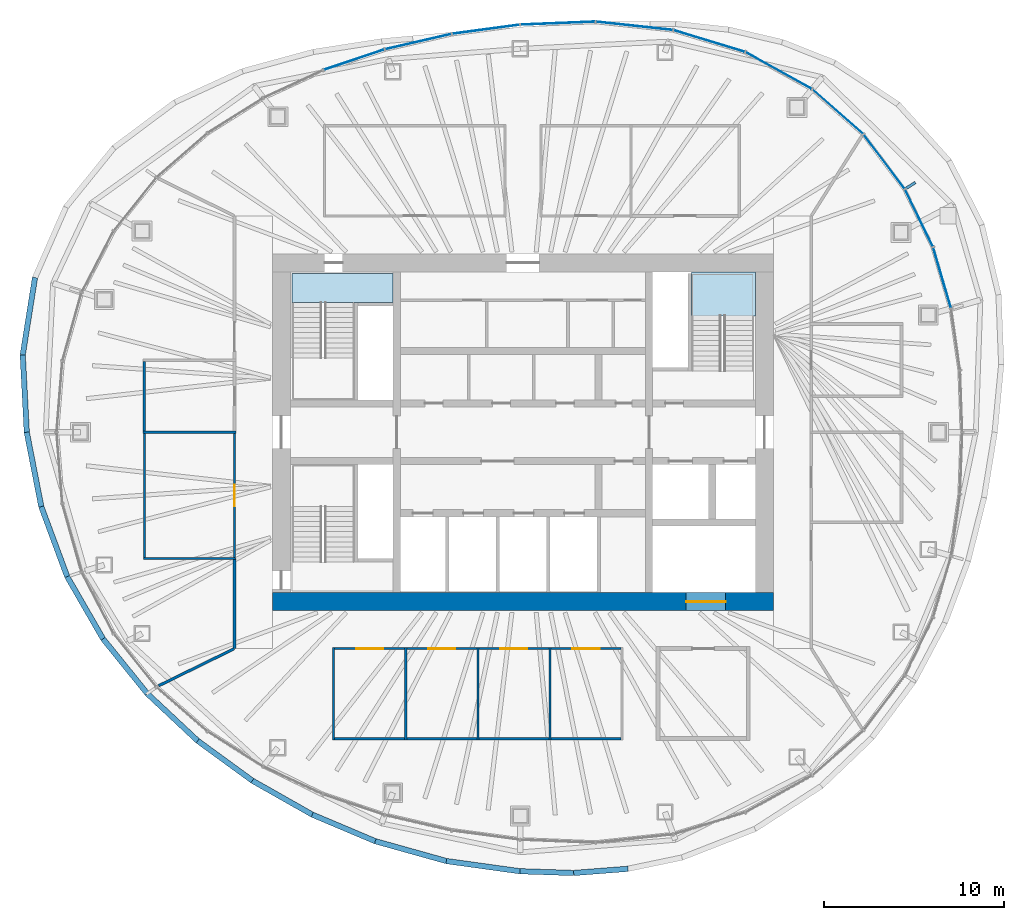
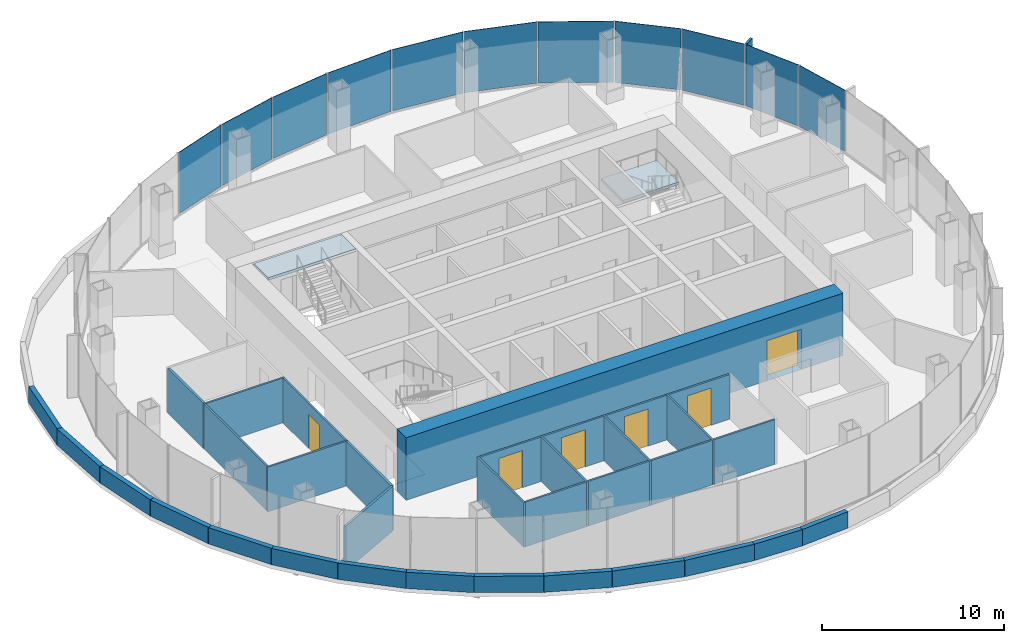
# One storey, part 9 of 13: 34 walls, 12 plates, 6 doors, 2 slabs, 6 openings, 8 elements without a shape of their own.
"""IFC4 building model written with IfcOpenShell, lengths in metres."""

from ifc_helpers import new_model, si_unit, direction, frame, frame_2d, origin, origin_2d, place, context, subcontext, project, spatial, polyline, rectangle, outline, extrude, material, layer, layer_set, type_object, element, fill, aggregate, save


model = new_model("IFC4")

# Units and contexts
model_context = context("Model", 3, precision=1e-05, world=origin(), true_north=direction((0.0, 1.0)))
body_context = subcontext(model_context, "Body", "Model", "MODEL_VIEW")
ifc_project = project(units=[si_unit("LENGTHUNIT", "METRE"), si_unit("AREAUNIT", "SQUARE_METRE"), si_unit("VOLUMEUNIT", "CUBIC_METRE"), si_unit("PLANEANGLEUNIT", "RADIAN"), si_unit("MASSUNIT", "GRAM", prefix="KILO")], contexts=[model_context])

# Site, building, storey
site_placement = place(None, origin())
site = spatial("IfcSite", under=ifc_project, at=site_placement, CompositionType="ELEMENT")
building_placement = place(site_placement, origin())
building = spatial("IfcBuilding", under=site, at=building_placement, Name="Ghaith Harvest Tower", CompositionType="ELEMENT")
storey_placement = place(building_placement, frame((0.0, 0.0, 271.199951171875)))
storey = spatial("IfcBuildingStorey", under=building, at=storey_placement, Name="L60", CompositionType="ELEMENT", Elevation=271.199951171875)

# Curtain wall, plates
ifc_material_1 = material(Name="Black anodised aluminium and fritted glass", Category="aluminium")
curtain_wall_type = type_object("IfcCurtainWallType", Name="CW-T CURTAIN WALL", PredefinedType="NOTDEFINED", material=ifc_material_1)
curtain_wall_1_placement = place(storey_placement, origin())
curtain_wall_1 = element("IfcCurtainWall", 1, at=curtain_wall_1_placement, inside=storey, type_object=curtain_wall_type, Name="Curtain wall CW-T bay 02 L60", PredefinedType="NOTDEFINED")
ifc_material_2 = material(Name="Glass, dark solar-control fritted double glazed unit", Category="glass")
ifc_layer_1 = layer(ifc_material_2, 0.033935546875)
ifc_layer_set_1 = layer_set([ifc_layer_1], Name="CW-T VISION PANEL")
plate_type_1 = type_object("IfcPlateType", Name="CW-T VISION PANEL", PredefinedType="CURTAIN_PANEL", material=ifc_layer_set_1)
plate_1_placement = place(storey_placement, frame((23.253662109375, 8.56884765625, 0.080078125), z_axis=(0.0, 0.0, 1.0), x_axis=(-0.281344622776, 0.959606796159, 0.0)))
plate_1 = element("IfcPlate", 2, at=plate_1_placement, type_object=plate_type_1, Name="CW-T glass unit 1 bay 02 L60", PredefinedType="CURTAIN_PANEL", context=body_context, shape_type="SweptSolid", body=[
    extrude(rectangle(XDim=3.470703125, YDim=0.033935546875, at=origin_2d()), origin(), (0.0, 0.0, 1.0), 4.1201171875),
])
plate_2_placement = place(storey_placement, frame((21.9716796875, 11.878662109375, 0.080078125), z_axis=(0.0, 0.0, 1.0), x_axis=(-0.437968365148, 0.898990384337, 0.0)))
plate_2 = element("IfcPlate", 3, at=plate_2_placement, type_object=plate_type_1, Name="CW-T glass unit 2 bay 02 L60", PredefinedType="CURTAIN_PANEL", context=body_context, shape_type="SweptSolid", body=[
    extrude(rectangle(XDim=3.49365234375, YDim=0.033935546875, at=origin_2d()), origin(), (0.0, 0.0, 1.0), 4.1201171875),
])
aggregate(curtain_wall_1, [plate_1, plate_2])

curtain_wall_2_placement = place(storey_placement, origin())
curtain_wall_2 = element("IfcCurtainWall", 4, at=curtain_wall_2_placement, inside=storey, type_object=curtain_wall_type, Name="Curtain wall CW-T bay 03 L60", PredefinedType="NOTDEFINED")
plate_3_placement = place(storey_placement, frame((20.045166015625, 15.006103515625, 0.080078125), z_axis=(0.0, 0.0, 1.0), x_axis=(-0.601047892764, 0.799213007029, 0.0)))
plate_3 = element("IfcPlate", 5, at=plate_3_placement, type_object=plate_type_1, Name="CW-T glass unit 1 bay 03 L60", PredefinedType="CURTAIN_PANEL", context=body_context, shape_type="SweptSolid", body=[
    extrude(rectangle(XDim=3.7265625, YDim=0.033935546875, at=origin_2d()), origin(), (0.0, 0.0, 1.0), 4.1201171875),
])
plate_4_placement = place(storey_placement, frame((17.47509765625, 17.779541015625, 0.080078125), z_axis=(0.0, 0.0, 1.0), x_axis=(-0.751334532416, 0.659921525941, 0.0)))
plate_4 = element("IfcPlate", 6, at=plate_4_placement, type_object=plate_type_1, Name="CW-T glass unit 2 bay 03 L60", PredefinedType="CURTAIN_PANEL", context=body_context, shape_type="SweptSolid", body=[
    extrude(rectangle(XDim=3.7158203125, YDim=0.033935546875, at=origin_2d()), origin(), (0.0, 0.0, 1.0), 4.1201171875),
])
aggregate(curtain_wall_2, [plate_3, plate_4])

curtain_wall_3_placement = place(storey_placement, origin())
curtain_wall_3 = element("IfcCurtainWall", 7, at=curtain_wall_3_placement, inside=storey, type_object=curtain_wall_type, Name="Curtain wall CW-T bay 04 L60", PredefinedType="NOTDEFINED")
plate_5_placement = place(storey_placement, frame((14.19189453125, 20.06201171875, 0.080078125), z_axis=(0.0, 0.0, 1.0), x_axis=(-0.87456402291, 0.484910063653, 0.0)))
plate_5 = element("IfcPlate", 8, at=plate_5_placement, type_object=plate_type_1, Name="CW-T glass unit 1 bay 04 L60", PredefinedType="CURTAIN_PANEL", context=body_context, shape_type="SweptSolid", body=[
    extrude(rectangle(XDim=4.167724609375, YDim=0.033935546875, at=origin_2d()), origin(), (0.0, 0.0, 1.0), 4.1201171875),
])
plate_6_placement = place(storey_placement, frame((10.337158203125, 21.700439453125, 0.080078125), z_axis=(0.0, 0.0, 1.0), x_axis=(-0.956587736124, 0.291444511181, 0.0)))
plate_6 = element("IfcPlate", 9, at=plate_6_placement, type_object=plate_type_1, Name="CW-T glass unit 2 bay 04 L60", PredefinedType="CURTAIN_PANEL", context=body_context, shape_type="SweptSolid", body=[
    extrude(rectangle(XDim=4.095703125, YDim=0.033935546875, at=origin_2d()), origin(), (0.0, 0.0, 1.0), 4.1201171875),
])
aggregate(curtain_wall_3, [plate_5, plate_6])

curtain_wall_4_placement = place(storey_placement, origin())
curtain_wall_4 = element("IfcCurtainWall", 10, at=curtain_wall_4_placement, inside=storey, type_object=curtain_wall_type, Name="Curtain wall CW-T bay 05 L60", PredefinedType="NOTDEFINED")
plate_7_placement = place(storey_placement, frame((6.188720703125, 22.542724609375, 0.080078125), z_axis=(0.0, 0.0, 1.0), x_axis=(-0.994142883447, 0.108073712304, 0.0)))
plate_7 = element("IfcPlate", 11, at=plate_7_placement, type_object=plate_type_1, Name="CW-T glass unit 1 bay 05 L60", PredefinedType="CURTAIN_PANEL", context=body_context, shape_type="SweptSolid", body=[
    extrude(rectangle(XDim=4.24755859375, YDim=0.033935546875, at=origin_2d()), origin(), (0.0, 0.0, 1.0), 4.1201171875),
])
plate_8_placement = place(storey_placement, frame((1.94140625, 22.691162109375, 0.080078125), z_axis=(0.0, 0.0, 1.0), x_axis=(-0.999173925852, -0.040638231968, 0.0)))
plate_8 = element("IfcPlate", 12, at=plate_8_placement, type_object=plate_type_1, Name="CW-T glass unit 2 bay 05 L60", PredefinedType="CURTAIN_PANEL", context=body_context, shape_type="SweptSolid", body=[
    extrude(rectangle(XDim=4.115966796875, YDim=0.033935546875, at=origin_2d()), origin(), (0.0, 0.0, 1.0), 4.1201171875),
])
aggregate(curtain_wall_4, [plate_7, plate_8])

curtain_wall_5_placement = place(storey_placement, origin())
curtain_wall_5 = element("IfcCurtainWall", 13, at=curtain_wall_5_placement, inside=storey, type_object=curtain_wall_type, Name="Curtain wall CW-T bay 06 L60", PredefinedType="NOTDEFINED")
plate_9_placement = place(storey_placement, frame((-2.050537109375, 22.352294921875, 0.080078125), z_axis=(0.0, 0.0, 1.0), x_axis=(-0.991165262661, -0.132632658474, 0.0)))
plate_9 = element("IfcPlate", 14, at=plate_9_placement, type_object=plate_type_1, Name="CW-T glass unit 1 bay 06 L60", PredefinedType="CURTAIN_PANEL", context=body_context, shape_type="SweptSolid", body=[
    extrude(rectangle(XDim=3.74560546875, YDim=0.033935546875, at=origin_2d()), origin(), (0.0, 0.0, 1.0), 4.1201171875),
])
plate_10_placement = place(storey_placement, frame((-5.80859375, 21.66845703125, 0.080078125), z_axis=(0.0, 0.0, 1.0), x_axis=(-0.974342245415, -0.225071519297, 0.0)))
plate_10 = element("IfcPlate", 15, at=plate_10_placement, type_object=plate_type_1, Name="CW-T glass unit 2 bay 06 L60", PredefinedType="CURTAIN_PANEL", context=body_context, shape_type="SweptSolid", body=[
    extrude(rectangle(XDim=3.742431640625, YDim=0.033935546875, at=origin_2d()), origin(), (0.0, 0.0, 1.0), 4.1201171875),
])
aggregate(curtain_wall_5, [plate_9, plate_10])

# Curtain wall, plate
curtain_wall_6_placement = place(storey_placement, origin())
curtain_wall_6 = element("IfcCurtainWall", 16, at=curtain_wall_6_placement, inside=storey, type_object=curtain_wall_type, Name="Curtain wall CW-T bay 07 L60", PredefinedType="NOTDEFINED")
plate_11_placement = place(storey_placement, frame((-9.369140625, 20.665771484375, 0.080078125), z_axis=(0.0, 0.0, 1.0), x_axis=(-0.947586403329, -0.319499621637, 0.0)))
plate_11 = element("IfcPlate", 17, at=plate_11_placement, type_object=plate_type_1, Name="CW-T glass unit 1 bay 07 L60", PredefinedType="CURTAIN_PANEL", context=body_context, shape_type="SweptSolid", body=[
    extrude(rectangle(XDim=3.50439453125, YDim=0.033935546875, at=origin_2d()), origin(), (0.0, 0.0, 1.0), 4.1201171875),
])
aggregate(curtain_wall_6, [plate_11])

# Stair, slab
ifc_material_3 = material(Name="Concrete C40/50, precast", Category="concrete")
stair_type = type_object("IfcStairType", Name="CORE STAIR 24R", PredefinedType="HALF_TURN_STAIR", material=ifc_material_3)
stair_1_placement = place(storey_placement, origin())
stair_1 = element("IfcStair", 18, at=stair_1_placement, inside=storey, type_object=stair_type, Name="Stair ST1 L60", PredefinedType="HALF_TURN_STAIR")
ifc_material_4 = material(Name="Concrete C40/50, precast", Category="concrete")
ifc_layer_2 = layer(ifc_material_4, 0.179931640625)
ifc_layer_set_2 = layer_set([ifc_layer_2], Name="STAIR LANDING 180")
slab_type = type_object("IfcSlabType", Name="STAIR LANDING 180", PredefinedType="LANDING", material=ifc_layer_set_2)
slab_1_placement = place(storey_placement, frame((0.0, 0.0, 4.02001953125)))
slab_1 = element("IfcSlab", 19, at=slab_1_placement, type_object=slab_type, Name="ST1 landing 2", PredefinedType="LANDING", context=body_context, shape_type="SweptSolid", body=[
    extrude(outline(polyline([(-12.800048828125, 8.800048828125), (-12.800048828125, 7.199951171875), (-7.199951171875, 7.199951171875), (-7.199951171875, 8.800048828125), (-12.800048828125, 8.800048828125)])), origin(), (0.0, 0.0, 1.0), 0.179931640625),
])
aggregate(stair_1, [slab_1])

stair_2_placement = place(storey_placement, origin())
stair_2 = element("IfcStair", 20, at=stair_2_placement, inside=storey, type_object=stair_type, Name="Stair ST2 L60", PredefinedType="HALF_TURN_STAIR")
slab_2_placement = place(storey_placement, frame((0.0, 0.0, 1.920166015625)))
slab_2 = element("IfcSlab", 21, at=slab_2_placement, type_object=slab_type, Name="ST2 landing 1", PredefinedType="LANDING", context=body_context, shape_type="SweptSolid", body=[
    extrude(outline(polyline([(12.89990234375, 6.4599609375), (12.89990234375, 8.89990234375), (9.35009765625, 8.89990234375), (9.35009765625, 6.4599609375), (12.89990234375, 6.4599609375)])), origin(), (0.0, 0.0, 1.0), 0.179931640625),
])
aggregate(stair_2, [slab_2])

# Plate
ifc_material_5 = material(Name="Glassfibre-reinforced concrete", Category="concrete")
ifc_layer_3 = layer(ifc_material_5, 0.14990234375)
ifc_layer_set_3 = layer_set([ifc_layer_3], Name="SUN-BREAKER FIN 600x150")
plate_type_2 = type_object("IfcPlateType", Name="SUN-BREAKER FIN 600x150", PredefinedType="USERDEFINED", material=ifc_layer_set_3)
plate_12_placement = place(storey_placement, frame((21.51806640625, 13.6943359375, 0.0), z_axis=(0.0, 0.0, 1.0), x_axis=(0.843643971464, 0.536903016766, 0.0)))
element("IfcPlate", 22, at=plate_12_placement, inside=storey, type_object=plate_type_2, Name="Sun-breaker fin CW-T 1 bay 03 L60", ObjectType="SUN-BREAKER FIN", PredefinedType="USERDEFINED", context=body_context, shape_type="SweptSolid", body=[
    extrude(rectangle(XDim=0.60009765625, YDim=0.14990234375, at=origin_2d()), origin(), (0.0, 0.0, 1.0), 4.199951171875),
])

# Wall, opening, door
ifc_material_6 = material(Name="Concrete C50/60", Category="concrete")
ifc_layer_4 = layer(ifc_material_6, 1.0)
ifc_layer_set_4 = layer_set([ifc_layer_4], Name="CORE WALL CW1000")
wall_type_1 = type_object("IfcWallType", Name="CORE WALL CW1000", PredefinedType="SHEAR", material=ifc_layer_set_4)
wall_1_placement = place(storey_placement, frame((-13.89990234375, -9.39990234375, 0.0), z_axis=(0.0, 0.0, 1.0), x_axis=(1.0, 0.0, 0.0)))
wall_1 = element("IfcWall", 23, at=wall_1_placement, inside=storey, type_object=wall_type_1, Name="Core wall S L60", PredefinedType="SHEAR", context=body_context, shape_type="SweptSolid", body=[
    extrude(rectangle(XDim=27.7998046875, YDim=1.0, at=frame_2d((13.89990234375, 0.0))), origin(), (0.0, 0.0, 1.0), 4.199951171875),
])
opening_1_placement = place(wall_1_placement, frame((22.949951171875, 0.0, 0.0)))
opening_1 = element("IfcOpeningElement", 24, at=opening_1_placement, cuts=wall_1, Name="Opening 60-025", PredefinedType="OPENING", context=body_context, shape_type="SweptSolid", body=[
    extrude(rectangle(XDim=2.199951171875, YDim=2.699951171875, at=frame_2d((1.10009765625, 1.35009765625))), frame((0.0, 0.510009765625, 0.0), z_axis=(0.0, -1.0, 0.0), x_axis=(1.0, 0.0, 0.0)), (0.0, 0.0, 1.0), 1.02001953125),
])
ifc_material_7 = material(Name="Steel fire door", Category="steel")
door_type_1 = type_object("IfcDoorType", Name="LD3 LANDING 2200x2700", OperationType="DOUBLE_DOOR_SLIDING", PredefinedType="DOOR", material=ifc_material_7)
door_1_placement = place(opening_1_placement, origin())
door_1 = element("IfcDoor", 25, at=door_1_placement, inside=storey, type_object=door_type_1, Name="Landing door, goods lift GL1", OperationType="DOUBLE_DOOR_SLIDING", OverallHeight=2.699951171875, OverallWidth=2.199951171875, PredefinedType="DOOR", context=body_context, shape_type="SweptSolid", body=[
    extrude(rectangle(XDim=2.199951171875, YDim=2.699951171875, at=frame_2d((1.10009765625, 1.35009765625))), frame((0.0, 0.02490234375, 0.0), z_axis=(0.0, -1.0, 0.0), x_axis=(1.0, 0.0, 0.0)), (0.0, 0.0, 1.0), 0.050048828125),
])
fill(opening_1, door_1)

# Walls
ifc_material_8 = material(Name="Insulated food-grade panel", Category="steel")
ifc_layer_5 = layer(ifc_material_8, 0.1201171875)
ifc_layer_set_5 = layer_set([ifc_layer_5], Name="INSULATED PANEL WALL 120")
wall_type_2 = type_object("IfcWallType", Name="INSULATED PANEL WALL 120", PredefinedType="PARTITIONING", material=ifc_layer_set_5)
for number, where, z_axis, x_axis, name in (
    (26, (-10.5, -11.93994140625, 0.0), (0.0, 0.0, 1.0), (0.0, -1.0, 0.0), "Partition L60 row S3 cross wall 1"),
    (27, (-6.5, -11.93994140625, 0.0), (0.0, 0.0, 1.0), (0.0, -1.0, 0.0), "Partition L60 row S3 cross wall 2"),
    (28, (-2.5, -11.93994140625, 0.0), (0.0, 0.0, 1.0), (0.0, -1.0, 0.0), "Partition L60 row S3 cross wall 3"),
    (29, (1.5, -11.93994140625, 0.0), (0.0, 0.0, 1.0), (0.0, -1.0, 0.0), "Partition L60 row S3 cross wall 4"),
):
    element("IfcWall", number, at=place(storey_placement, frame(where, z_axis=z_axis, x_axis=x_axis)), inside=storey, type_object=wall_type_2, Name=name, PredefinedType="PARTITIONING", context=body_context, shape_type="SweptSolid", body=[
        extrude(rectangle(XDim=5.1201171875, YDim=0.1201171875, at=frame_2d((2.56005859375, 0.0))), origin(), (0.0, 0.0, 1.0), 3.0),
    ])

# Wall, opening, door
wall_2_placement = place(storey_placement, frame((-10.43994140625, -12.0, 0.0), z_axis=(0.0, 0.0, 1.0), x_axis=(1.0, 0.0, 0.0)))
wall_2 = element("IfcWall", 30, at=wall_2_placement, inside=storey, type_object=wall_type_2, Name="Partition L60-04", PredefinedType="PARTITIONING", context=body_context, shape_type="SweptSolid", body=[
    extrude(rectangle(XDim=3.8798828125, YDim=0.1201171875, at=frame_2d((1.93994140625, 0.0))), origin(), (0.0, 0.0, 1.0), 3.0),
])
opening_2_placement = place(wall_2_placement, frame((1.18994140625, 0.0, 0.0)))
opening_2 = element("IfcOpeningElement", 31, at=opening_2_placement, cuts=wall_2, Name="Opening 60-029", PredefinedType="OPENING", context=body_context, shape_type="SweptSolid", body=[
    extrude(rectangle(XDim=1.5, YDim=2.5, at=frame_2d((0.75, 1.25))), frame((0.0, 0.070068359375, 0.0), z_axis=(0.0, -1.0, 0.0), x_axis=(1.0, 0.0, 0.0)), (0.0, 0.0, 1.0), 0.14013671875),
])
ifc_material_9 = material(Name="Insulated steel sliding door", Category="steel")
door_type_2 = type_object("IfcDoorType", Name="D13 COLD STORE SLIDING 1500x2500", OperationType="SLIDING_TO_LEFT", PredefinedType="DOOR", material=ifc_material_9)
door_2_placement = place(opening_2_placement, origin())
door_2 = element("IfcDoor", 32, at=door_2_placement, inside=storey, type_object=door_type_2, Name="Growth chamber door", OperationType="SLIDING_TO_LEFT", OverallHeight=2.5, OverallWidth=1.5, PredefinedType="DOOR", context=body_context, shape_type="SweptSolid", body=[
    extrude(rectangle(XDim=1.5, YDim=2.5, at=frame_2d((0.75, 1.25))), frame((0.0, 0.02490234375, 0.0), z_axis=(0.0, -1.0, 0.0), x_axis=(1.0, 0.0, 0.0)), (0.0, 0.0, 1.0), 0.050048828125),
])
fill(opening_2, door_2)

# Wall
wall_3_placement = place(storey_placement, frame((-10.43994140625, -17.0, 0.0), z_axis=(0.0, 0.0, 1.0), x_axis=(1.0, 0.0, 0.0)))
element("IfcWall", 33, at=wall_3_placement, inside=storey, type_object=wall_type_2, Name="Partition L60-04", PredefinedType="PARTITIONING", context=body_context, shape_type="SweptSolid", body=[
    extrude(rectangle(XDim=3.8798828125, YDim=0.1201171875, at=frame_2d((1.93994140625, 0.0))), origin(), (0.0, 0.0, 1.0), 3.0),
])

# Wall, opening, door
wall_4_placement = place(storey_placement, frame((-6.43994140625, -12.0, 0.0), z_axis=(0.0, 0.0, 1.0), x_axis=(1.0, 0.0, 0.0)))
wall_4 = element("IfcWall", 34, at=wall_4_placement, inside=storey, type_object=wall_type_2, Name="Partition L60-05", PredefinedType="PARTITIONING", context=body_context, shape_type="SweptSolid", body=[
    extrude(rectangle(XDim=3.8798828125, YDim=0.1201171875, at=frame_2d((1.93994140625, 0.0))), origin(), (0.0, 0.0, 1.0), 3.0),
])
opening_3_placement = place(wall_4_placement, frame((1.18994140625, 0.0, 0.0)))
opening_3 = element("IfcOpeningElement", 35, at=opening_3_placement, cuts=wall_4, Name="Opening 60-030", PredefinedType="OPENING", context=body_context, shape_type="SweptSolid", body=[
    extrude(rectangle(XDim=1.5, YDim=2.5, at=frame_2d((0.75, 1.25))), frame((0.0, 0.070068359375, 0.0), z_axis=(0.0, -1.0, 0.0), x_axis=(1.0, 0.0, 0.0)), (0.0, 0.0, 1.0), 0.14013671875),
])
door_3_placement = place(opening_3_placement, origin())
door_3 = element("IfcDoor", 36, at=door_3_placement, inside=storey, type_object=door_type_2, Name="Growth chamber door", OperationType="SLIDING_TO_LEFT", OverallHeight=2.5, OverallWidth=1.5, PredefinedType="DOOR", context=body_context, shape_type="SweptSolid", body=[
    extrude(rectangle(XDim=1.5, YDim=2.5, at=frame_2d((0.75, 1.25))), frame((0.0, 0.02490234375, 0.0), z_axis=(0.0, -1.0, 0.0), x_axis=(1.0, 0.0, 0.0)), (0.0, 0.0, 1.0), 0.050048828125),
])
fill(opening_3, door_3)

# Wall
wall_5_placement = place(storey_placement, frame((-6.43994140625, -17.0, 0.0), z_axis=(0.0, 0.0, 1.0), x_axis=(1.0, 0.0, 0.0)))
element("IfcWall", 37, at=wall_5_placement, inside=storey, type_object=wall_type_2, Name="Partition L60-05", PredefinedType="PARTITIONING", context=body_context, shape_type="SweptSolid", body=[
    extrude(rectangle(XDim=3.8798828125, YDim=0.1201171875, at=frame_2d((1.93994140625, 0.0))), origin(), (0.0, 0.0, 1.0), 3.0),
])

# Wall, opening, door
wall_6_placement = place(storey_placement, frame((-2.43994140625, -12.0, 0.0), z_axis=(0.0, 0.0, 1.0), x_axis=(1.0, 0.0, 0.0)))
wall_6 = element("IfcWall", 38, at=wall_6_placement, inside=storey, type_object=wall_type_2, Name="Partition L60-06", PredefinedType="PARTITIONING", context=body_context, shape_type="SweptSolid", body=[
    extrude(rectangle(XDim=3.8798828125, YDim=0.1201171875, at=frame_2d((1.93994140625, 0.0))), origin(), (0.0, 0.0, 1.0), 3.0),
])
opening_4_placement = place(wall_6_placement, frame((1.18994140625, 0.0, 0.0)))
opening_4 = element("IfcOpeningElement", 39, at=opening_4_placement, cuts=wall_6, Name="Opening 60-031", PredefinedType="OPENING", context=body_context, shape_type="SweptSolid", body=[
    extrude(rectangle(XDim=1.5, YDim=2.5, at=frame_2d((0.75, 1.25))), frame((0.0, 0.070068359375, 0.0), z_axis=(0.0, -1.0, 0.0), x_axis=(1.0, 0.0, 0.0)), (0.0, 0.0, 1.0), 0.14013671875),
])
door_4_placement = place(opening_4_placement, origin())
door_4 = element("IfcDoor", 40, at=door_4_placement, inside=storey, type_object=door_type_2, Name="Growth chamber door", OperationType="SLIDING_TO_LEFT", OverallHeight=2.5, OverallWidth=1.5, PredefinedType="DOOR", context=body_context, shape_type="SweptSolid", body=[
    extrude(rectangle(XDim=1.5, YDim=2.5, at=frame_2d((0.75, 1.25))), frame((0.0, 0.02490234375, 0.0), z_axis=(0.0, -1.0, 0.0), x_axis=(1.0, 0.0, 0.0)), (0.0, 0.0, 1.0), 0.050048828125),
])
fill(opening_4, door_4)

# Wall
wall_7_placement = place(storey_placement, frame((-2.43994140625, -17.0, 0.0), z_axis=(0.0, 0.0, 1.0), x_axis=(1.0, 0.0, 0.0)))
element("IfcWall", 41, at=wall_7_placement, inside=storey, type_object=wall_type_2, Name="Partition L60-06", PredefinedType="PARTITIONING", context=body_context, shape_type="SweptSolid", body=[
    extrude(rectangle(XDim=3.8798828125, YDim=0.1201171875, at=frame_2d((1.93994140625, 0.0))), origin(), (0.0, 0.0, 1.0), 3.0),
])

# Wall, opening, door
wall_8_placement = place(storey_placement, frame((1.56005859375, -12.0, 0.0), z_axis=(0.0, 0.0, 1.0), x_axis=(1.0, 0.0, 0.0)))
wall_8 = element("IfcWall", 42, at=wall_8_placement, inside=storey, type_object=wall_type_2, Name="Partition L60-07", PredefinedType="PARTITIONING", context=body_context, shape_type="SweptSolid", body=[
    extrude(rectangle(XDim=3.8798828125, YDim=0.1201171875, at=frame_2d((1.93994140625, 0.0))), origin(), (0.0, 0.0, 1.0), 3.0),
])
opening_5_placement = place(wall_8_placement, frame((1.18994140625, 0.0, 0.0)))
opening_5 = element("IfcOpeningElement", 43, at=opening_5_placement, cuts=wall_8, Name="Opening 60-032", PredefinedType="OPENING", context=body_context, shape_type="SweptSolid", body=[
    extrude(rectangle(XDim=1.5, YDim=2.5, at=frame_2d((0.75, 1.25))), frame((0.0, 0.070068359375, 0.0), z_axis=(0.0, -1.0, 0.0), x_axis=(1.0, 0.0, 0.0)), (0.0, 0.0, 1.0), 0.14013671875),
])
door_5_placement = place(opening_5_placement, origin())
door_5 = element("IfcDoor", 44, at=door_5_placement, inside=storey, type_object=door_type_2, Name="Growth chamber door", OperationType="SLIDING_TO_LEFT", OverallHeight=2.5, OverallWidth=1.5, PredefinedType="DOOR", context=body_context, shape_type="SweptSolid", body=[
    extrude(rectangle(XDim=1.5, YDim=2.5, at=frame_2d((0.75, 1.25))), frame((0.0, 0.02490234375, 0.0), z_axis=(0.0, -1.0, 0.0), x_axis=(1.0, 0.0, 0.0)), (0.0, 0.0, 1.0), 0.050048828125),
])
fill(opening_5, door_5)

# Walls
wall_9_placement = place(storey_placement, frame((1.56005859375, -17.0, 0.0), z_axis=(0.0, 0.0, 1.0), x_axis=(1.0, 0.0, 0.0)))
element("IfcWall", 45, at=wall_9_placement, inside=storey, type_object=wall_type_2, Name="Partition L60-07", PredefinedType="PARTITIONING", context=body_context, shape_type="SweptSolid", body=[
    extrude(rectangle(XDim=3.8798828125, YDim=0.1201171875, at=frame_2d((1.93994140625, 0.0))), origin(), (0.0, 0.0, 1.0), 3.0),
])
wall_10_placement = place(storey_placement, frame((-15.93994140625, -7.0, 0.0), z_axis=(0.0, 0.0, 1.0), x_axis=(-1.0, 0.0, 0.0)))
element("IfcWall", 46, at=wall_10_placement, inside=storey, type_object=wall_type_2, Name="Partition L60 row W5 cross wall 1", PredefinedType="PARTITIONING", context=body_context, shape_type="SweptSolid", body=[
    extrude(rectangle(XDim=5.1201171875, YDim=0.1201171875, at=frame_2d((2.56005859375, 0.0))), origin(), (0.0, 0.0, 1.0), 3.0),
])
wall_11_placement = place(storey_placement, frame((-15.925048828125, 0.0, 0.0), z_axis=(0.0, 0.0, 1.0), x_axis=(-1.0, 0.0, 0.0)))
element("IfcWall", 47, at=wall_11_placement, inside=storey, type_object=wall_type_2, Name="Partition L60 row W5 cross wall 2", PredefinedType="PARTITIONING", context=body_context, shape_type="SweptSolid", body=[
    extrude(rectangle(XDim=5.14990234375, YDim=0.1201171875, at=frame_2d((2.574951171875, 0.0))), origin(), (0.0, 0.0, 1.0), 3.0),
])

# Wall, opening, door
wall_12_placement = place(storey_placement, frame((-16.0, -6.93994140625, 0.0), z_axis=(0.0, 0.0, 1.0), x_axis=(0.0, 1.0, 0.0)))
wall_12 = element("IfcWall", 48, at=wall_12_placement, inside=storey, type_object=wall_type_2, Name="Partition L60-09", PredefinedType="PARTITIONING", context=body_context, shape_type="SweptSolid", body=[
    extrude(rectangle(XDim=6.8798828125, YDim=0.1201171875, at=frame_2d((3.43994140625, 0.0))), origin(), (0.0, 0.0, 1.0), 3.0),
])
opening_6_placement = place(wall_12_placement, frame((2.840087890625, 0.0, 0.0)))
opening_6 = element("IfcOpeningElement", 49, at=opening_6_placement, cuts=wall_12, Name="Opening 60-034", PredefinedType="OPENING", context=body_context, shape_type="SweptSolid", body=[
    extrude(rectangle(XDim=1.199951171875, YDim=2.300048828125, at=frame_2d((0.60009765625, 1.14990234375))), frame((0.0, 0.070068359375, 0.0), z_axis=(0.0, -1.0, 0.0), x_axis=(1.0, 0.0, 0.0)), (0.0, 0.0, 1.0), 0.14013671875),
])
ifc_material_10 = material(Name="Timber door with vision panel", Category="wood")
door_type_3 = type_object("IfcDoorType", Name="D15 LABORATORY 1200x2300", OperationType="SINGLE_SWING_LEFT", PredefinedType="DOOR", material=ifc_material_10)
door_6_placement = place(opening_6_placement, origin())
door_6 = element("IfcDoor", 50, at=door_6_placement, inside=storey, type_object=door_type_3, Name="Culture laboratory door", OperationType="SINGLE_SWING_LEFT", OverallHeight=2.300048828125, OverallWidth=1.199951171875, PredefinedType="DOOR", context=body_context, shape_type="SweptSolid", body=[
    extrude(rectangle(XDim=1.199951171875, YDim=2.300048828125, at=frame_2d((0.60009765625, 1.14990234375))), frame((0.0, 0.02490234375, 0.0), z_axis=(0.0, -1.0, 0.0), x_axis=(1.0, 0.0, 0.0)), (0.0, 0.0, 1.0), 0.050048828125),
])
fill(opening_6, door_6)

# Walls
wall_13_placement = place(storey_placement, frame((-21.0, -6.93994140625, 0.0), z_axis=(0.0, 0.0, 1.0), x_axis=(0.0, 1.0, 0.0)))
element("IfcWall", 51, at=wall_13_placement, inside=storey, type_object=wall_type_2, Name="Partition L60-09", PredefinedType="PARTITIONING", context=body_context, shape_type="SweptSolid", body=[
    extrude(rectangle(XDim=6.8798828125, YDim=0.1201171875, at=frame_2d((3.43994140625, 0.0))), origin(), (0.0, 0.0, 1.0), 3.0),
])
ifc_material_11 = material(Name="Concrete C40/50", Category="concrete")
ifc_layer_6 = layer(ifc_material_11, 0.300048828125)
ifc_layer_set_6 = layer_set([ifc_layer_6], Name="PARAPET 300")
wall_type_3 = type_object("IfcWallType", Name="PARAPET 300", PredefinedType="PARAPET", material=ifc_layer_set_6)
wall_14_placement = place(storey_placement, frame((-27.068359375, 8.578369140625, 0.0), z_axis=(0.0, 0.0, 1.0), x_axis=(-0.156831994394, -0.987625296119, 0.0)))
element("IfcWall", 52, at=wall_14_placement, inside=storey, type_object=wall_type_3, Name="Parapet 10.1 L60", PredefinedType="PARAPET", context=body_context, shape_type="SweptSolid", body=[
    extrude(rectangle(XDim=4.340087890625, YDim=0.300048828125, at=frame_2d((2.169921875, 0.0))), origin(), (0.0, 0.0, 1.0), 1.10009765625),
])
wall_15_placement = place(storey_placement, frame((-27.7490234375, 4.2919921875, 0.0), z_axis=(0.0, 0.0, 1.0), x_axis=(0.052147381621, -0.998639399678, 0.0)))
element("IfcWall", 53, at=wall_15_placement, inside=storey, type_object=wall_type_3, Name="Parapet 10.2 L60", PredefinedType="PARAPET", context=body_context, shape_type="SweptSolid", body=[
    extrude(rectangle(XDim=4.2978515625, YDim=0.300048828125, at=frame_2d((2.14892578125, 0.0))), origin(), (0.0, 0.0, 1.0), 1.10009765625),
])
wall_16_placement = place(storey_placement, frame((-27.52490234375, 0.0, 0.0), z_axis=(0.0, 0.0, 1.0), x_axis=(0.191519895972, -0.981488731187, 0.0)))
element("IfcWall", 54, at=wall_16_placement, inside=storey, type_object=wall_type_3, Name="Parapet 11.1 L60", PredefinedType="PARAPET", context=body_context, shape_type="SweptSolid", body=[
    extrude(rectangle(XDim=4.21044921875, YDim=0.300048828125, at=frame_2d((2.105224609375, 0.0))), origin(), (0.0, 0.0, 1.0), 1.10009765625),
])
wall_17_placement = place(storey_placement, frame((-26.718505859375, -4.132568359375, 0.0), z_axis=(0.0, 0.0, 1.0), x_axis=(0.347460421387, -0.93769464943, 0.0)))
element("IfcWall", 55, at=wall_17_placement, inside=storey, type_object=wall_type_3, Name="Parapet 11.2 L60", PredefinedType="PARAPET", context=body_context, shape_type="SweptSolid", body=[
    extrude(rectangle(XDim=4.13720703125, YDim=0.300048828125, at=frame_2d((2.068603515625, 0.0))), origin(), (0.0, 0.0, 1.0), 1.10009765625),
])
wall_18_placement = place(storey_placement, frame((-25.281005859375, -8.011962890625, 0.0), z_axis=(0.0, 0.0, 1.0), x_axis=(0.499388269123, -0.866378298818, 0.0)))
element("IfcWall", 56, at=wall_18_placement, inside=storey, type_object=wall_type_3, Name="Parapet 12.1 L60", PredefinedType="PARAPET", context=body_context, shape_type="SweptSolid", body=[
    extrude(rectangle(XDim=3.98486328125, YDim=0.300048828125, at=frame_2d((1.992431640625, 0.0))), origin(), (0.0, 0.0, 1.0), 1.10009765625),
])
wall_19_placement = place(storey_placement, frame((-23.291015625, -11.46435546875, 0.0), z_axis=(0.0, 0.0, 1.0), x_axis=(0.628168156987, -0.778077609591, 0.0)))
element("IfcWall", 57, at=wall_19_placement, inside=storey, type_object=wall_type_3, Name="Parapet 12.2 L60", PredefinedType="PARAPET", context=body_context, shape_type="SweptSolid", body=[
    extrude(rectangle(XDim=3.902099609375, YDim=0.300048828125, at=frame_2d((1.951171875, 0.0))), origin(), (0.0, 0.0, 1.0), 1.10009765625),
])
wall_20_placement = place(storey_placement, frame((-20.83984375, -14.50048828125, 0.0), z_axis=(0.0, 0.0, 1.0), x_axis=(0.72997406552, -0.683474844942, 0.0)))
element("IfcWall", 58, at=wall_20_placement, inside=storey, type_object=wall_type_3, Name="Parapet 13.1 L60", PredefinedType="PARAPET", context=body_context, shape_type="SweptSolid", body=[
    extrude(rectangle(XDim=3.832763671875, YDim=0.300048828125, at=frame_2d((1.91650390625, 0.0))), origin(), (0.0, 0.0, 1.0), 1.10009765625),
])
wall_21_placement = place(storey_placement, frame((-18.0419921875, -17.1201171875, 0.0), z_axis=(0.0, 0.0, 1.0), x_axis=(0.808028838067, -0.589142934144, 0.0)))
element("IfcWall", 59, at=wall_21_placement, inside=storey, type_object=wall_type_3, Name="Parapet 13.2 L60", PredefinedType="PARAPET", context=body_context, shape_type="SweptSolid", body=[
    extrude(rectangle(XDim=3.75, YDim=0.300048828125, at=frame_2d((1.875, 0.0))), origin(), (0.0, 0.0, 1.0), 1.10009765625),
])
wall_22_placement = place(storey_placement, frame((-15.011962890625, -19.329345703125, 0.0), z_axis=(0.0, 0.0, 1.0), x_axis=(0.870048657911, -0.492965853653, 0.0)))
element("IfcWall", 60, at=wall_22_placement, inside=storey, type_object=wall_type_3, Name="Parapet 14.1 L60", PredefinedType="PARAPET", context=body_context, shape_type="SweptSolid", body=[
    extrude(rectangle(XDim=3.82373046875, YDim=0.300048828125, at=frame_2d((1.911865234375, 0.0))), origin(), (0.0, 0.0, 1.0), 1.10009765625),
])
wall_23_placement = place(storey_placement, frame((-11.68505859375, -21.21435546875, 0.0), z_axis=(0.0, 0.0, 1.0), x_axis=(0.921294195475, -0.388866307854, 0.0)))
element("IfcWall", 61, at=wall_23_placement, inside=storey, type_object=wall_type_3, Name="Parapet 14.2 L60", PredefinedType="PARAPET", context=body_context, shape_type="SweptSolid", body=[
    extrude(rectangle(XDim=3.788818359375, YDim=0.300048828125, at=frame_2d((1.89453125, 0.0))), origin(), (0.0, 0.0, 1.0), 1.10009765625),
])
wall_24_placement = place(storey_placement, frame((-8.1943359375, -22.687744140625, 0.0), z_axis=(0.0, 0.0, 1.0), x_axis=(0.963139587468, -0.269002109753, 0.0)))
element("IfcWall", 62, at=wall_24_placement, inside=storey, type_object=wall_type_3, Name="Parapet 15.1 L60", PredefinedType="PARAPET", context=body_context, shape_type="SweptSolid", body=[
    extrude(rectangle(XDim=4.096923828125, YDim=0.300048828125, at=frame_2d((2.04833984375, 0.0))), origin(), (0.0, 0.0, 1.0), 1.10009765625),
])
wall_25_placement = place(storey_placement, frame((-4.24853515625, -23.789794921875, 0.0), z_axis=(0.0, 0.0, 1.0), x_axis=(0.990541320478, -0.137214767524, 0.0)))
element("IfcWall", 63, at=wall_25_placement, inside=storey, type_object=wall_type_3, Name="Parapet 15.2 L60", PredefinedType="PARAPET", context=body_context, shape_type="SweptSolid", body=[
    extrude(rectangle(XDim=4.120849609375, YDim=0.300048828125, at=frame_2d((2.060546875, 0.0))), origin(), (0.0, 0.0, 1.0), 1.10009765625),
])
wall_26_placement = place(storey_placement, frame((-0.166748046875, -24.355224609375, 0.0), z_axis=(0.0, 0.0, 1.0), x_axis=(0.99946210842, -0.032794722648, 0.0)))
element("IfcWall", 64, at=wall_26_placement, inside=storey, type_object=wall_type_3, Name="Parapet 16.1 L60", PredefinedType="PARAPET", context=body_context, shape_type="SweptSolid", body=[
    extrude(rectangle(XDim=2.9853515625, YDim=0.300048828125, at=frame_2d((1.49267578125, 0.0))), origin(), (0.0, 0.0, 1.0), 1.10009765625),
])
wall_27_placement = place(storey_placement, frame((2.81689453125, -24.453125, 0.0), z_axis=(0.0, 0.0, 1.0), x_axis=(0.997032108917, 0.076986841662, 0.0)))
element("IfcWall", 65, at=wall_27_placement, inside=storey, type_object=wall_type_3, Name="Parapet 16.2 L60", PredefinedType="PARAPET", context=body_context, shape_type="SweptSolid", body=[
    extrude(rectangle(XDim=3.022216796875, YDim=0.300048828125, at=frame_2d((1.51123046875, 0.0))), origin(), (0.0, 0.0, 1.0), 1.10009765625),
])
ifc_material_12 = material(Name="Gypsum board on steel studs", Category="steel")
ifc_layer_7 = layer(ifc_material_12, 0.14990234375)
ifc_layer_set_7 = layer_set([ifc_layer_7], Name="PARTITION 150")
wall_type_4 = type_object("IfcWallType", Name="PARTITION 150", PredefinedType="PARTITIONING", material=ifc_layer_set_7)
wall_28_placement = place(storey_placement, frame((-21.0, 0.06005859375, 0.0), z_axis=(0.0, 0.0, 1.0), x_axis=(0.0, 1.0, 0.0)))
element("IfcWall", 66, at=wall_28_placement, inside=storey, type_object=wall_type_4, Name="Partition L60-10", PredefinedType="PARTITIONING", context=body_context, shape_type="SweptSolid", body=[
    extrude(rectangle(XDim=3.864990234375, YDim=0.14990234375, at=frame_2d((1.9326171875, 0.0))), origin(), (0.0, 0.0, 1.0), 3.0),
])
wall_29_placement = place(storey_placement, frame((-16.017822265625, -12.0087890625, 0.0), z_axis=(0.0, 0.0, 1.0), x_axis=(-0.897771840996, -0.440460805879, 0.0)))
element("IfcWall", 67, at=wall_29_placement, inside=storey, type_object=wall_type_4, Name="Partition L60 zone division", PredefinedType="PARTITIONING", context=body_context, shape_type="SweptSolid", body=[
    extrude(rectangle(XDim=4.66552734375, YDim=0.14990234375, at=frame_2d((2.332763671875, 0.0))), origin(), (0.0, 0.0, 1.0), 3.0),
])
wall_30_placement = place(storey_placement, frame((-16.0, -7.0, 0.0), z_axis=(0.0, 0.0, 1.0), x_axis=(0.0, -1.0, 0.0)))
element("IfcWall", 68, at=wall_30_placement, inside=storey, type_object=wall_type_4, Name="Partition L60 zone enclosure", PredefinedType="PARTITIONING", context=body_context, shape_type="SweptSolid", body=[
    extrude(rectangle(XDim=5.0, YDim=0.14990234375, at=frame_2d((2.5, 0.0))), origin(), (0.0, 0.0, 1.0), 3.0),
])

save(model, "model.ifc")
